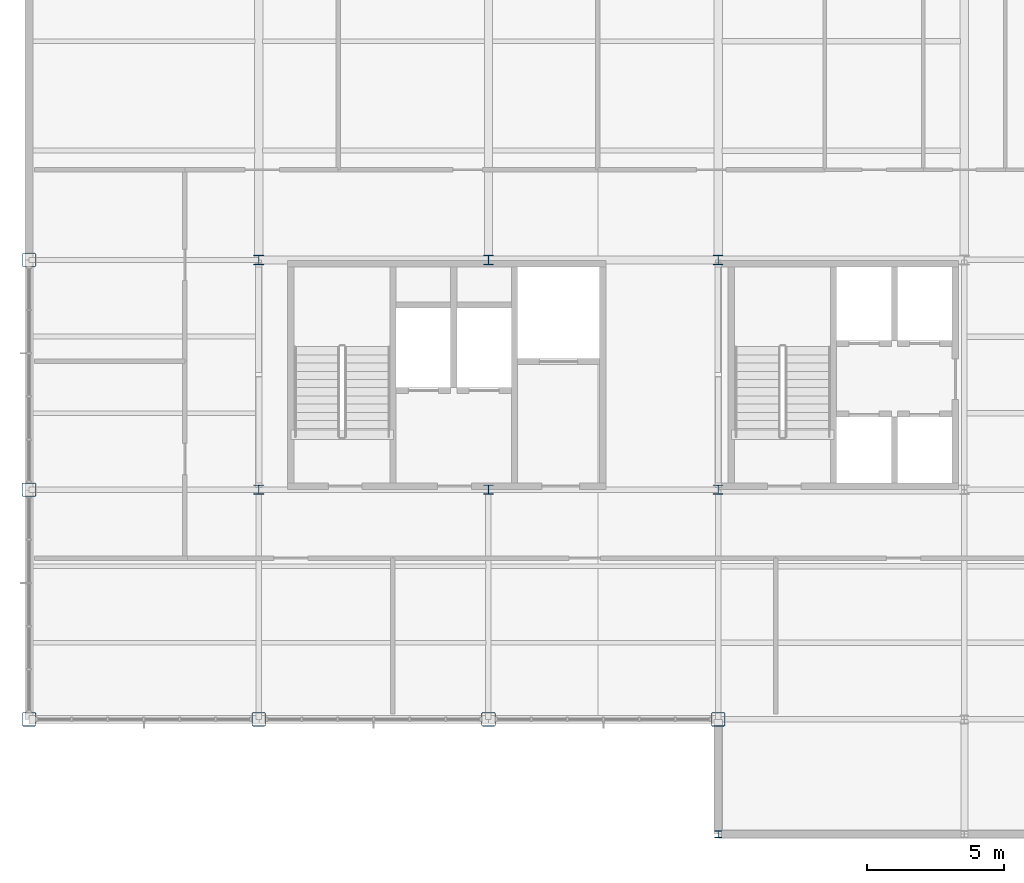
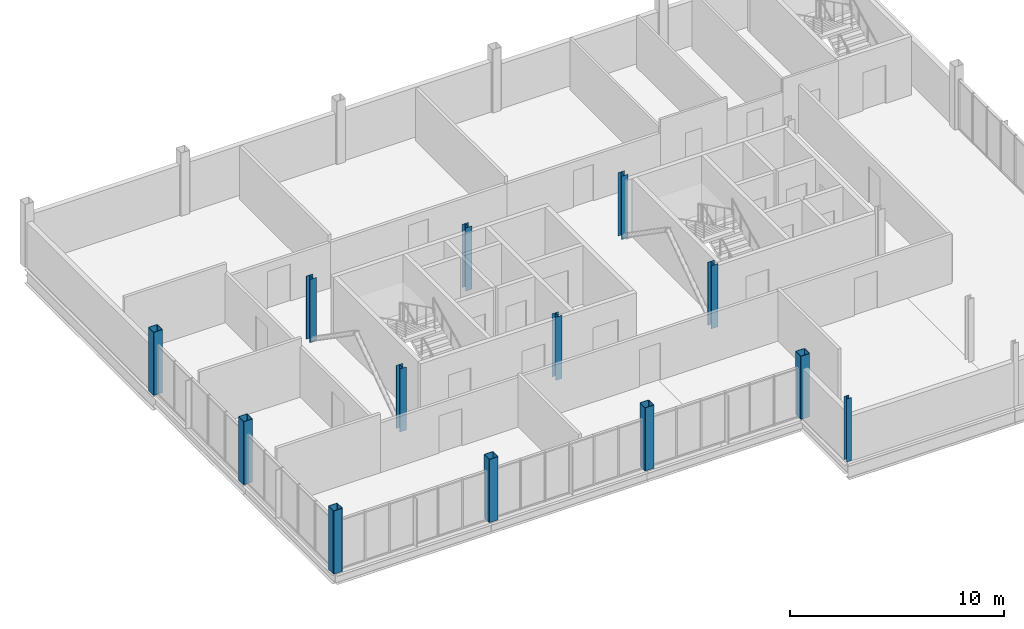
# One storey, part 1 of 16: 13 columns.
"""IFC4 building model written with IfcOpenShell, lengths in metres."""

from ifc_helpers import new_model, si_unit, direction, frame, origin, origin_2d, place, context, subcontext, project, spatial, hollow_rectangle, i_section, extrude, material, material_profile, profile_set, type_object, element, save


model = new_model("IFC4")

# Units and contexts
model_context = context("Model", 3, precision=1e-05, world=origin(), true_north=direction((0.0, 1.0)))
body_context = subcontext(model_context, "Body", "Model", "MODEL_VIEW")
ifc_project = project(units=[si_unit("LENGTHUNIT", "METRE"), si_unit("AREAUNIT", "SQUARE_METRE"), si_unit("VOLUMEUNIT", "CUBIC_METRE"), si_unit("PLANEANGLEUNIT", "RADIAN"), si_unit("MASSUNIT", "GRAM", prefix="KILO")], contexts=[model_context])

# Site, building, storey
site_placement = place(None, origin())
site = spatial("IfcSite", under=ifc_project, at=site_placement, CompositionType="ELEMENT")
building_placement = place(site_placement, origin())
building = spatial("IfcBuilding", under=site, at=building_placement, Name="Yukiwa Park Conservatory and Herbarium", CompositionType="ELEMENT")
storey_placement = place(building_placement, frame((0.0, 0.0, 39.60009765625)))
storey = spatial("IfcBuildingStorey", under=building, at=storey_placement, Name="L10", CompositionType="ELEMENT", Elevation=39.60009765625)

# Columns
ifc_material_1 = material(Name="Steel Q355D", Category="steel")
ifc_material_profile_1 = material_profile(ifc_material_1, i_section(OverallWidth=0.25, OverallDepth=0.25, WebThickness=0.009033203125, FlangeThickness=0.013916015625, FilletRadius=0.01611328125, at=origin_2d()), Name="HW 250x250x9x14")
ifc_profile_set_1 = profile_set([ifc_material_profile_1], Name="Steel Q355D")
column_type_1 = type_object("IfcColumnType", Name="COL-SB-HW250", PredefinedType="COLUMN", material=ifc_profile_set_1)
column_placement = place(storey_placement, frame((150.0, 82.199951171875, 0.0), z_axis=(0.0, 0.0, 1.0), x_axis=(1.0, 0.0, 0.0)))
element("IfcColumn", 1, at=column_placement, inside=storey, type_object=column_type_1, Name="L10 column V5SB2-X1500-Y822", PredefinedType="COLUMN", context=body_context, shape_type="SweptSolid", body=[
    extrude(i_section(OverallWidth=0.25, OverallDepth=0.25, WebThickness=0.009033203125, FlangeThickness=0.013916015625, FilletRadius=0.01611328125, at=origin_2d()), origin(), (0.0, 0.0, 1.0), 3.599853515625),
])
ifc_material_2 = material(Name="Steel Q355D", Category="steel")
ifc_material_profile_2 = material_profile(ifc_material_2, hollow_rectangle(XDim=0.5, YDim=0.5, WallThickness=0.02001953125, InnerFilletRadius=0.02001953125, OuterFilletRadius=0.0400390625, at=origin_2d()), Name="BOX 500x500x20")
ifc_profile_set_2 = profile_set([ifc_material_profile_2], Name="Steel Q355D")
column_type_2 = type_object("IfcColumnType", Name="COL-TW-BOX500-EXT", PredefinedType="COLUMN", material=ifc_profile_set_2)
for number, where, z_axis, x_axis, name in (
    (2, (124.800048828125, 86.39990234375, 0.0), (0.0, 0.0, 1.0), (1.0, 0.0, 0.0), "L10 column V5-X1248-Y864"),
    (3, (124.800048828125, 94.800048828125, 0.0), (0.0, 0.0, 1.0), (1.0, 0.0, 0.0), "L10 column V5-X1248-Y948"),
    (4, (124.800048828125, 103.199951171875, 0.0), (0.0, 0.0, 1.0), (1.0, 0.0, 0.0), "L10 column V5-X1248-Y1032"),
    (5, (133.199951171875, 86.39990234375, 0.0), (0.0, 0.0, 1.0), (1.0, 0.0, 0.0), "L10 column V5-X1332-Y864"),
    (6, (141.60009765625, 86.39990234375, 0.0), (0.0, 0.0, 1.0), (1.0, 0.0, 0.0), "L10 column V5-X1416-Y864"),
    (7, (150.0, 86.39990234375, 0.0), (0.0, 0.0, 1.0), (1.0, 0.0, 0.0), "L10 column V5-X1500-Y864"),
):
    element("IfcColumn", number, at=place(storey_placement, frame(where, z_axis=z_axis, x_axis=x_axis)), inside=storey, type_object=column_type_2, Name=name, PredefinedType="COLUMN", context=body_context, shape_type="SweptSolid", body=[
        extrude(hollow_rectangle(XDim=0.5, YDim=0.5, WallThickness=0.02001953125, InnerFilletRadius=0.02001953125, OuterFilletRadius=0.0400390625, at=origin_2d()), origin(), (0.0, 0.0, 1.0), 3.599853515625),
    ])
ifc_material_3 = material(Name="Steel Q355D", Category="steel")
ifc_material_profile_3 = material_profile(ifc_material_3, i_section(OverallWidth=0.347900390625, OverallDepth=0.343994140625, WebThickness=0.010009765625, FlangeThickness=0.01611328125, FilletRadius=0.02001953125, at=origin_2d()), Name="HW 344x348x10x16")
ifc_profile_set_3 = profile_set([ifc_material_profile_3], Name="Steel Q355D")
column_type_3 = type_object("IfcColumnType", Name="COL-TW-HW344", PredefinedType="COLUMN", material=ifc_profile_set_3)
for number, where, z_axis, x_axis, name in (
    (8, (133.199951171875, 94.800048828125, 0.0), (0.0, 0.0, 1.0), (1.0, 0.0, 0.0), "L10 column V5-X1332-Y948"),
    (9, (133.199951171875, 103.199951171875, 0.0), (0.0, 0.0, 1.0), (1.0, 0.0, 0.0), "L10 column V5-X1332-Y1032"),
    (10, (141.60009765625, 94.800048828125, 0.0), (0.0, 0.0, 1.0), (1.0, 0.0, 0.0), "L10 column V5-X1416-Y948"),
    (11, (141.60009765625, 103.199951171875, 0.0), (0.0, 0.0, 1.0), (1.0, 0.0, 0.0), "L10 column V5-X1416-Y1032"),
    (12, (150.0, 94.800048828125, 0.0), (0.0, 0.0, 1.0), (1.0, 0.0, 0.0), "L10 column V5-X1500-Y948"),
    (13, (150.0, 103.199951171875, 0.0), (0.0, 0.0, 1.0), (1.0, 0.0, 0.0), "L10 column V5-X1500-Y1032"),
):
    element("IfcColumn", number, at=place(storey_placement, frame(where, z_axis=z_axis, x_axis=x_axis)), inside=storey, type_object=column_type_3, Name=name, PredefinedType="COLUMN", context=body_context, shape_type="SweptSolid", body=[
        extrude(i_section(OverallWidth=0.347900390625, OverallDepth=0.343994140625, WebThickness=0.010009765625, FlangeThickness=0.01611328125, FilletRadius=0.02001953125, at=origin_2d()), origin(), (0.0, 0.0, 1.0), 3.599853515625),
    ])

save(model, "model.ifc")
